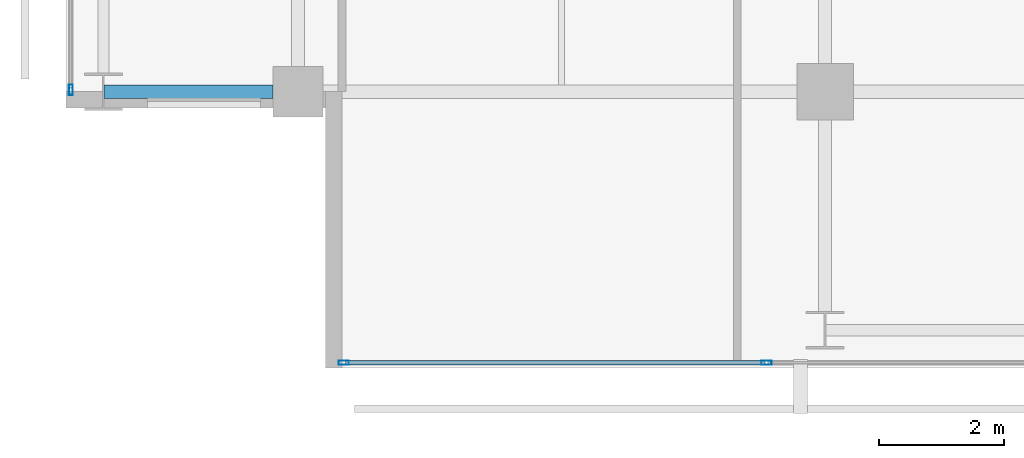
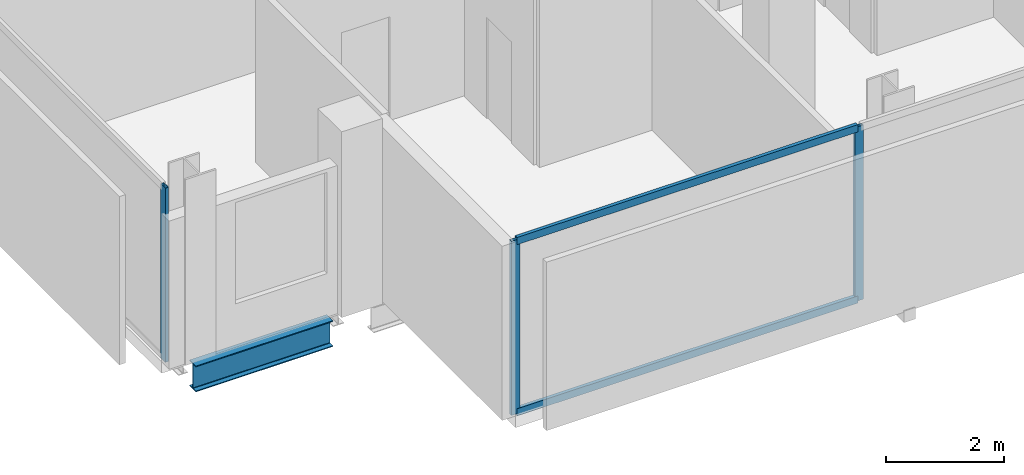
# One storey, part 2 of 33: 5 members, 1 beam, 2 elements without a shape of their own.
"""IFC4 building model written with IfcOpenShell, lengths in metres."""

import ifcopenshell
import ifcopenshell.guid

model = None  # the IFC model being written
_history = None  # IfcOwnerHistory: only IFC2X3 demands one
_inside = {}  # id of a spatial element -> (the spatial element, [elements in it])
_under = {}  # id of a project, library or spatial element -> (it, [spatial elements below it])
_declared = {}  # id of a project -> (the project, [libraries it declares])
_typed = {}  # id of a type object -> (the type object, [elements of that type])
_made_of = {}  # id of a material, layer set ... -> (it, [elements and type objects made of it])


def new_model(schema):
    """Start an empty IFC model of exactly this schema.

    Asked for "IFC4X3", IfcOpenShell would pick the latest addendum, in which some entities
    have other attributes; the version numbers below select the first issue.
    IFC2X3 requires an IfcOwnerHistory on every rooted entity: one is made here for all.
    """
    global model, _history
    if schema == "IFC4X3":
        model = ifcopenshell.file(schema_version=(4, 3, 0, 0))
    else:
        model = ifcopenshell.file(schema=schema)
    _inside.clear()
    _under.clear()
    _declared.clear()
    _typed.clear()
    _made_of.clear()
    _history = None
    if model.schema == "IFC2X3":
        org = make("IfcOrganization", Name="unknown")
        user = make(
            "IfcPersonAndOrganization",
            ThePerson=make("IfcPerson", FamilyName="unknown"),
            TheOrganization=org,
        )
        app = make(
            "IfcApplication",
            ApplicationDeveloper=org,
            Version="unknown",
            ApplicationFullName="unknown",
            ApplicationIdentifier="unknown",
        )
        _history = make(
            "IfcOwnerHistory",
            OwningUser=user,
            OwningApplication=app,
            ChangeAction="ADDED",
            CreationDate=0,
        )
    return model


def make(cls, **values):
    """One entity of the class cls with the attributes given. An attribute that is None is left unset."""
    return model.create_entity(
        cls, **{name: value for name, value in values.items() if value is not None}
    )


def rooted(cls, **values):
    """An entity with a GlobalId (a new one), such as an element, a storey or a relation."""
    return make(cls, GlobalId=ifcopenshell.guid.new(), OwnerHistory=_history, **values)


def si_unit(unit_type, name, prefix=None):
    """IfcSIUnit, for example si_unit("LENGTHUNIT", "METRE", prefix="MILLI")."""
    return make("IfcSIUnit", UnitType=unit_type, Prefix=prefix, Name=name)


def assignment(units):
    """IfcUnitAssignment: the units of a project."""
    return None if units is None else make("IfcUnitAssignment", Units=units)


def point(xyz):
    """IfcCartesianPoint."""
    return None if xyz is None else make("IfcCartesianPoint", Coordinates=xyz)


def direction(xyz):
    """IfcDirection."""
    return None if xyz is None else make("IfcDirection", DirectionRatios=xyz)


def frame(location, z_axis=None, x_axis=None):
    """IfcAxis2Placement3D, a coordinate frame: its origin and axes. An axis left out is left unset."""
    return make(
        "IfcAxis2Placement3D",
        Location=point(location),
        Axis=direction(z_axis),
        RefDirection=direction(x_axis),
    )


def frame_2d(location, x_axis=None):
    """IfcAxis2Placement2D, a coordinate frame in the plane: its origin and x axis."""
    return make(
        "IfcAxis2Placement2D", Location=point(location), RefDirection=direction(x_axis)
    )


def origin():
    """The frame at (0, 0, 0) with its axes left unset."""
    return frame((0.0, 0.0, 0.0))


def origin_2d():
    """The frame at (0, 0) in the plane with its x axis left unset."""
    return frame_2d((0.0, 0.0))


def place(relative_to, where):
    """IfcLocalPlacement: puts the frame where relative to a parent placement (None: the world)."""
    return make(
        "IfcLocalPlacement", PlacementRelTo=relative_to, RelativePlacement=where
    )


def context(
    kind, dimensions, precision=None, world=None, true_north=None, identifier=None
):
    """IfcGeometricRepresentationContext, for example the 3D "Model" context."""
    return make(
        "IfcGeometricRepresentationContext",
        ContextIdentifier=identifier,
        ContextType=kind,
        CoordinateSpaceDimension=dimensions,
        Precision=precision,
        WorldCoordinateSystem=world,
        TrueNorth=true_north,
    )


def subcontext(parent, identifier, kind, view, scale=None):
    """IfcGeometricRepresentationSubContext, for example "Body" below "Model"."""
    return make(
        "IfcGeometricRepresentationSubContext",
        ContextIdentifier=identifier,
        ContextType=kind,
        ParentContext=parent,
        TargetScale=scale,
        TargetView=view,
    )


def project(units=None, contexts=None):
    """IfcProject with its units and contexts."""
    return rooted(
        "IfcProject",
        Name="project",
        RepresentationContexts=contexts,
        UnitsInContext=assignment(units),
    )


def spatial(cls, under=None, at=None, **own):
    """A site, building, storey or space (cls), placed at a placement, below another one or the project."""
    s = rooted(cls, ObjectPlacement=at, **own)
    if under is not None:
        _under.setdefault(under.id(), (under, []))[1].append(s)
    return s


def profile(cls, at=None, kind="AREA", **sizes):
    """A parametric profile (cls). Its sizes go by their IFC names, for example OverallWidth=200.0."""
    return make(cls, ProfileType=kind, Position=at, **sizes)


def hollow_rectangle(**sizes):
    """IfcRectangleHollowProfileDef."""
    return profile("IfcRectangleHollowProfileDef", **sizes)


def i_section(**sizes):
    """IfcIShapeProfileDef."""
    return profile("IfcIShapeProfileDef", **sizes)


def extrude(swept, where, along, depth):
    """IfcExtrudedAreaSolid: the profile swept, set in the frame where, extruded along a direction by depth."""
    return make(
        "IfcExtrudedAreaSolid",
        SweptArea=swept,
        Position=where,
        ExtrudedDirection=direction(along),
        Depth=depth,
    )


def shape(context_of_items, identifier, shape_type, items):
    """IfcShapeRepresentation: the items that make up one representation, for example the "Body"."""
    return make(
        "IfcShapeRepresentation",
        ContextOfItems=context_of_items,
        RepresentationIdentifier=identifier,
        RepresentationType=shape_type,
        Items=items,
    )


def material(Name=None, Category=None):
    """IfcMaterial."""
    return make("IfcMaterial", Name=Name, Category=Category)


def layer(
    of_material, thickness, ventilated=None, Name=None, Category=None, Priority=None
):
    """IfcMaterialLayer: one layer of a wall or slab, of a material (None: an air gap)."""
    return make(
        "IfcMaterialLayer",
        Material=of_material,
        LayerThickness=thickness,
        IsVentilated=ventilated,
        Name=Name,
        Category=Category,
        Priority=Priority,
    )


def layer_set(layers, Name=None):
    """IfcMaterialLayerSet."""
    return make("IfcMaterialLayerSet", MaterialLayers=layers, LayerSetName=Name)


def material_profile(
    of_material, cross_section, Name=None, Category=None, Priority=None
):
    """IfcMaterialProfile: a cross section and its material."""
    return make(
        "IfcMaterialProfile",
        Name=Name,
        Material=of_material,
        Profile=cross_section,
        Priority=Priority,
        Category=Category,
    )


def profile_set(profiles, Name=None, composite=None):
    """IfcMaterialProfileSet."""
    return make(
        "IfcMaterialProfileSet",
        Name=Name,
        MaterialProfiles=profiles,
        CompositeProfile=composite,
    )


def made_of(thing, what):
    """Note that an element or type object is made of a material, layer set ...; save() writes the relation."""
    if what is not None:
        _made_of.setdefault(what.id(), (what, []))[1].append(thing)
    return thing


def type_object(cls, material=None, **own):
    """A type object (cls), such as IfcWallType, which elements share."""
    return made_of(rooted(cls, **own), material)


def element(
    cls,
    number,
    at=None,
    inside=None,
    cuts=None,
    type_object=None,
    material=None,
    context=None,
    identifier="Body",
    shape_type=None,
    held_by="IfcProductDefinitionShape",
    body=None,
    shapes=None,
    **own,
):
    """One element of the class cls, such as IfcWall. Its Tag is "e" and its number.

    at: its placement. inside: the storey or other place that contains it. cuts: it is an
    opening in that element (IfcRelVoidsElement). A single representation is given by context,
    identifier, shape_type and body (its items); several are given by shapes. held_by: the class
    of the entity that holds the representations. save() writes the other relations.
    """
    e = rooted(cls, Tag="e%d" % number, ObjectPlacement=at, **own)
    if body is not None:
        shapes = [shape(context, identifier, shape_type, body)]
    if shapes is not None:
        e.Representation = make(held_by, Representations=shapes)
    if inside is not None:
        _inside.setdefault(inside.id(), (inside, []))[1].append(e)
    if cuts is not None:
        rooted(
            "IfcRelVoidsElement", RelatingBuildingElement=cuts, RelatedOpeningElement=e
        )
    if type_object is not None:
        _typed.setdefault(type_object.id(), (type_object, []))[1].append(e)
    return made_of(e, material)


def aggregate(whole, parts):
    """IfcRelAggregates: a whole, such as a stair, and the parts it consists of."""
    return rooted("IfcRelAggregates", RelatingObject=whole, RelatedObjects=parts)


def save(model, path):
    """Write the relations noted so far, then the file.

    IfcRelAggregates (storeys below a building ...), IfcRelContainedInSpatialStructure (elements
    in a storey), IfcRelDefinesByType, IfcRelAssociatesMaterial and IfcRelDeclares: one each for
    every whole, place, type object, material and project.
    """
    for whole, parts in _under.values():
        aggregate(whole, parts)
    for where, things in _inside.values():
        rooted(
            "IfcRelContainedInSpatialStructure",
            RelatedElements=things,
            RelatingStructure=where,
        )
    for kind, things in _typed.values():
        rooted("IfcRelDefinesByType", RelatedObjects=things, RelatingType=kind)
    for what, things in _made_of.values():
        rooted("IfcRelAssociatesMaterial", RelatedObjects=things, RelatingMaterial=what)
    for by, libraries in _declared.values():
        rooted("IfcRelDeclares", RelatingContext=by, RelatedDefinitions=libraries)
    model.write(path)


model = new_model("IFC4")

# Units and contexts
model_context = context("Model", 3, precision=1e-05, world=origin(), true_north=direction((0.0, 1.0)))
body_context = subcontext(model_context, "Body", "Model", "MODEL_VIEW")
ifc_project = project(units=[si_unit("LENGTHUNIT", "METRE"), si_unit("AREAUNIT", "SQUARE_METRE"), si_unit("VOLUMEUNIT", "CUBIC_METRE"), si_unit("PLANEANGLEUNIT", "RADIAN"), si_unit("MASSUNIT", "GRAM", prefix="KILO")], contexts=[model_context])

# Site, building, storey
site_placement = place(None, origin())
site = spatial("IfcSite", under=ifc_project, at=site_placement, CompositionType="ELEMENT")
building_placement = place(site_placement, origin())
building = spatial("IfcBuilding", under=site, at=building_placement, Name="Maruvema Waterfront Hotel and Observation Tower", CompositionType="ELEMENT")
storey_placement = place(building_placement, frame((0.0, 0.0, 196.699951171875)))
storey = spatial("IfcBuildingStorey", under=building, at=storey_placement, Name="L48", CompositionType="ELEMENT", Elevation=196.699951171875)

# Curtain wall, members
ifc_material_1 = material(Name="Anodised bronze aluminium and solar-control low-E IGU", Category="aluminium")
ifc_layer = layer(ifc_material_1, 0.159912109375, Name="Zone 2 Amber Inner Thermal Curtain Wall System CW-03")
ifc_layer_set = layer_set([ifc_layer], Name="Anodised bronze aluminium and solar-control low-E IGU")
curtain_wall_type = type_object("IfcCurtainWallType", Name="Zone 2 Amber Inner Thermal Curtain Wall System CW-03", PredefinedType="USERDEFINED", material=ifc_layer_set)
curtain_wall_1_placement = place(storey_placement, origin())
curtain_wall_1 = element("IfcCurtainWall", 1, at=curtain_wall_1_placement, inside=storey, type_object=curtain_wall_type, Name="L48 Curtain Wall CW-L48-S", ObjectType="UNITISED CURTAIN WALL", PredefinedType="USERDEFINED")
ifc_material_2 = material(Name="Anodised architectural bronze aluminium", Category="aluminium")
ifc_material_profile_1 = material_profile(ifc_material_2, hollow_rectangle(XDim=0.070068359375, YDim=0.14990234375, WallThickness=0.00390625, at=origin_2d()), Name="ALU-T70x150")
ifc_profile_set_1 = profile_set([ifc_material_profile_1], Name="Anodised architectural bronze aluminium")
member_type_1 = type_object("IfcMemberType", Name="Curtain Wall Horizontal Transom ALU-T70x150", PredefinedType="USERDEFINED", material=ifc_profile_set_1)
member_1_placement = place(storey_placement, frame((17.56005859375, 4.679931640625, 0.030029296875), z_axis=(1.0, 0.0, 0.0), x_axis=(0.0, 1.0, 0.0)))
member_1 = element("IfcMember", 2, at=member_1_placement, type_object=member_type_1, Name="CW-03 transom 1.1", ObjectType="TRANSOM", PredefinedType="USERDEFINED", context=body_context, shape_type="SweptSolid", body=[
    extrude(hollow_rectangle(XDim=0.070068359375, YDim=0.14990234375, WallThickness=0.00390625, at=origin_2d()), origin(), (0.0, 0.0, 1.0), 6.676513671875),
])
member_2_placement = place(storey_placement, frame((17.56005859375, 4.679931640625, 3.580078125), z_axis=(1.0, 0.0, 0.0), x_axis=(0.0, 1.0, 0.0)))
member_2 = element("IfcMember", 3, at=member_2_placement, type_object=member_type_1, Name="CW-03 transom 1.2", ObjectType="TRANSOM", PredefinedType="USERDEFINED", context=body_context, shape_type="SweptSolid", body=[
    extrude(hollow_rectangle(XDim=0.070068359375, YDim=0.14990234375, WallThickness=0.00390625, at=origin_2d()), origin(), (0.0, 0.0, 1.0), 6.676513671875),
])
ifc_material_3 = material(Name="Anodised architectural bronze aluminium", Category="aluminium")
ifc_material_profile_2 = material_profile(ifc_material_3, hollow_rectangle(XDim=0.06494140625, YDim=0.1650390625, WallThickness=0.00390625, at=origin_2d()), Name="ALU-M65x165")
ifc_profile_set_2 = profile_set([ifc_material_profile_2], Name="Anodised architectural bronze aluminium")
member_type_2 = type_object("IfcMemberType", Name="Curtain Wall Primary Mullion ALU-M65x165", PredefinedType="MULLION", material=ifc_profile_set_2)
member_3_placement = place(storey_placement, frame((17.530029296875, 4.679931640625, 0.0), z_axis=(0.0, 0.0, 1.0), x_axis=(0.0, 1.0, 0.0)))
member_3 = element("IfcMember", 4, at=member_3_placement, type_object=member_type_2, Name="CW-03 mullion 1", PredefinedType="MULLION", context=body_context, shape_type="SweptSolid", body=[
    extrude(hollow_rectangle(XDim=0.06494140625, YDim=0.1650390625, WallThickness=0.00390625, at=origin_2d()), origin(), (0.0, 0.0, 1.0), 3.610107421875),
])
member_4_placement = place(storey_placement, frame((24.2666015625, 4.679931640625, 0.0), z_axis=(0.0, 0.0, 1.0), x_axis=(0.0, 1.0, 0.0)))
member_4 = element("IfcMember", 5, at=member_4_placement, type_object=member_type_2, Name="CW-03 mullion 2", PredefinedType="MULLION", context=body_context, shape_type="SweptSolid", body=[
    extrude(hollow_rectangle(XDim=0.06494140625, YDim=0.1650390625, WallThickness=0.00390625, at=origin_2d()), origin(), (0.0, 0.0, 1.0), 3.610107421875),
])
aggregate(curtain_wall_1, [member_3, member_4, member_1, member_2])

# Curtain wall, member
curtain_wall_2_placement = place(storey_placement, origin())
curtain_wall_2 = element("IfcCurtainWall", 6, at=curtain_wall_2_placement, inside=storey, type_object=curtain_wall_type, Name="L48 Curtain Wall CW-L48-W", ObjectType="UNITISED CURTAIN WALL", PredefinedType="USERDEFINED")
member_5_placement = place(storey_placement, frame((13.179931640625, 9.030029296875, 0.0), z_axis=(0.0, 0.0, 1.0), x_axis=(1.0, 0.0, 0.0)))
member_5 = element("IfcMember", 7, at=member_5_placement, type_object=member_type_2, Name="CW-03 mullion 7", PredefinedType="MULLION", context=body_context, shape_type="SweptSolid", body=[
    extrude(hollow_rectangle(XDim=0.06494140625, YDim=0.1650390625, WallThickness=0.00390625, at=origin_2d()), origin(), (0.0, 0.0, 1.0), 3.610107421875),
])
aggregate(curtain_wall_2, [member_5])

# Beam
ifc_material_4 = material(Name="Steel ASTM A572 Grade 50", Category="steel")
ifc_material_profile_3 = material_profile(ifc_material_4, i_section(OverallWidth=0.2109375, OverallDepth=0.5390625, WebThickness=0.01171875, FlangeThickness=0.018798828125, FilletRadius=0.014892578125, at=origin_2d()), Name="W530x109.0")
ifc_profile_set_3 = profile_set([ifc_material_profile_3], Name="Steel ASTM A572 Grade 50")
beam_type = type_object("IfcBeamType", Name="Primary Floor Girder W530x109.0", PredefinedType="BEAM", material=ifc_profile_set_3)
beam_placement = place(storey_placement, frame((13.71240234375, 9.0, -0.509521484375), z_axis=(1.0, 0.0, 0.0), x_axis=(0.0, 1.0, 0.0)))
element("IfcBeam", 8, at=beam_placement, inside=storey, type_object=beam_type, Name="L48 Floor Girder EW-04", PredefinedType="BEAM", context=body_context, shape_type="SweptSolid", body=[
    extrude(i_section(OverallWidth=0.2109375, OverallDepth=0.5390625, WebThickness=0.01171875, FlangeThickness=0.018798828125, FilletRadius=0.014892578125, at=origin_2d()), origin(), (0.0, 0.0, 1.0), 2.6875),
])

save(model, "model.ifc")
